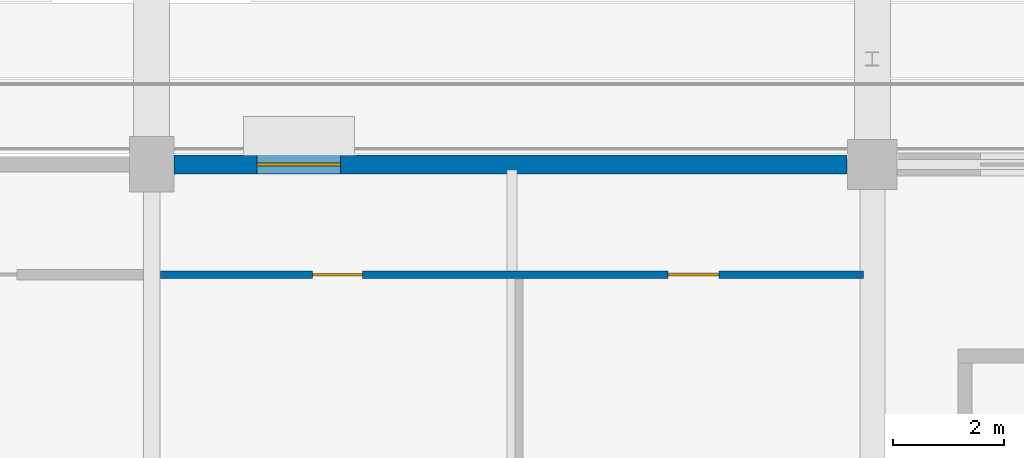
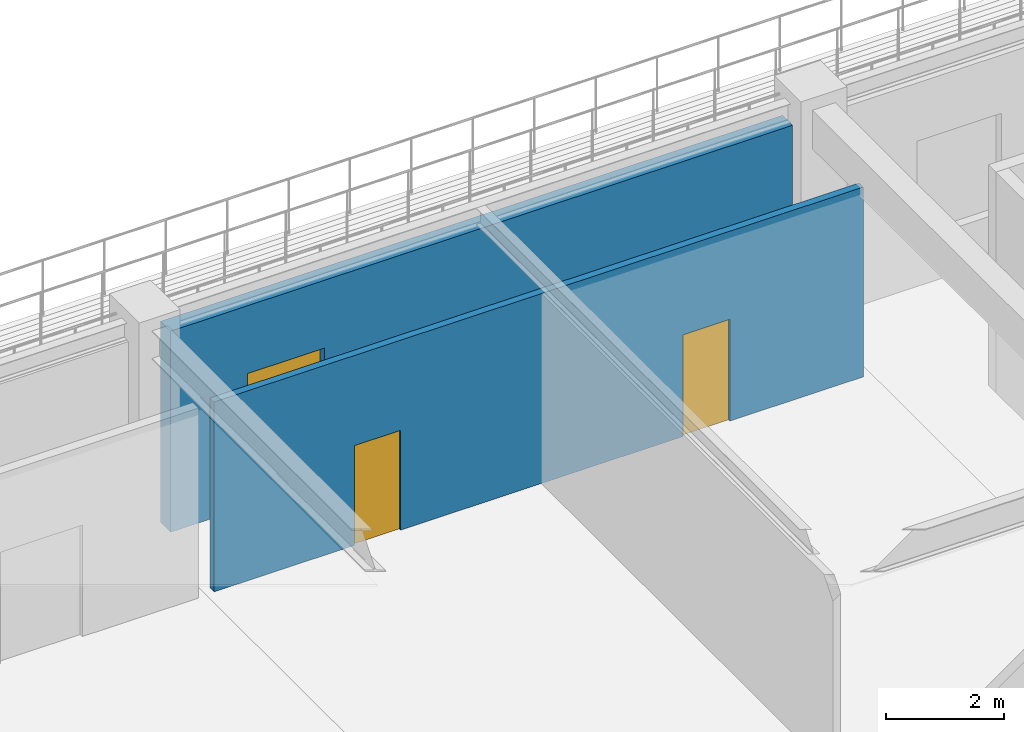
# One storey, part 79 of 134: 2 doors, 2 walls, 1 window, 3 openings.
"""IFC4 building model written with IfcOpenShell, lengths in metres."""

from ifc_helpers import new_model, si_unit, direction, frame, frame_2d, origin, place, context, subcontext, project, spatial, rectangle, extrude, material, layer, layer_set, type_object, element, fill, save


model = new_model("IFC4")

# Units and contexts
model_context = context("Model", 3, precision=1e-05, world=origin(), true_north=direction((0.0, 1.0)))
body_context = subcontext(model_context, "Body", "Model", "MODEL_VIEW")
ifc_project = project(units=[si_unit("LENGTHUNIT", "METRE"), si_unit("AREAUNIT", "SQUARE_METRE"), si_unit("VOLUMEUNIT", "CUBIC_METRE"), si_unit("PLANEANGLEUNIT", "RADIAN"), si_unit("MASSUNIT", "GRAM", prefix="KILO")], contexts=[model_context])

# Site, building, storey
site_placement = place(None, origin())
site = spatial("IfcSite", under=ifc_project, at=site_placement, CompositionType="ELEMENT")
building_placement = place(site_placement, origin())
building = spatial("IfcBuilding", under=site, at=building_placement, Name="Kazenohara Klinker Stadium", CompositionType="ELEMENT")
storey_placement = place(building_placement, frame((0.0, 0.0, 5.39990234375)))
storey = spatial("IfcBuildingStorey", under=building, at=storey_placement, Name="L01", CompositionType="ELEMENT", Elevation=5.39990234375)

# Wall, opening, window
ifc_material_1 = material(Name="Clinker brick masonry", Category="masonry")
ifc_layer_1 = layer(ifc_material_1, 0.340087890625)
ifc_layer_set_1 = layer_set([ifc_layer_1], Name="Clinker brick masonry")
wall_type_1 = type_object("IfcWallType", Name="WAL-EXT-CB340", PredefinedType="SOLIDWALL", material=ifc_layer_set_1)
wall_1_placement = place(storey_placement, frame((112.404052734375, 36.0, 0.0), z_axis=(0.0, 0.0, 1.0), x_axis=(1.0, 0.0, 0.0)))
wall_1 = element("IfcWall", 1, at=wall_1_placement, inside=storey, type_object=wall_type_1, Name="Clinker brick cavity wall EW04 L01 X9-3", PredefinedType="SOLIDWALL", context=body_context, shape_type="SweptSolid", body=[
    extrude(rectangle(XDim=12.141845703125, YDim=0.340087890625, at=frame_2d((6.07080078125, 0.0))), origin(), (0.0, 0.0, 1.0), 4.150146484375),
])
opening_1_placement = place(wall_1_placement, frame((1.5, 0.0, 0.949951171875)))
opening_1 = element("IfcOpeningElement", 2, at=opening_1_placement, cuts=wall_1, Name="Opening W09", PredefinedType="OPENING", context=body_context, shape_type="SweptSolid", body=[
    extrude(rectangle(XDim=1.5, YDim=1.800048828125, at=frame_2d((0.75, 0.89990234375))), frame((0.0, 0.18017578125, 0.0), z_axis=(0.0, -1.0, 0.0), x_axis=(1.0, 0.0, 0.0)), (0.0, 0.0, 1.0), 0.360107421875),
])
ifc_material_2 = material(Name="Dark bronze aluminium frame and triple glazing", Category="aluminium")
window_type = type_object("IfcWindowType", Name="WIN-AS-09", PartitioningType="SINGLE_PANEL", PredefinedType="WINDOW", material=ifc_material_2)
window_placement = place(opening_1_placement, origin())
window = element("IfcWindow", 3, at=window_placement, inside=storey, type_object=window_type, Name="Horizontal-mullion ladder window W09 L01 X9-3", OverallHeight=1.800048828125, OverallWidth=1.5, PartitioningType="SINGLE_PANEL", PredefinedType="WINDOW", context=body_context, shape_type="SweptSolid", body=[
    extrude(rectangle(XDim=1.5, YDim=1.800048828125, at=frame_2d((0.75, 0.89990234375))), frame((0.0, 0.030029296875, 0.0), z_axis=(0.0, -1.0, 0.0), x_axis=(1.0, 0.0, 0.0)), (0.0, 0.0, 1.0), 0.06005859375),
])
fill(opening_1, window)

# Wall, openings, doors
ifc_material_3 = material(Name="Fire-rated gypsum board on acoustic studs", Category="gypsum")
ifc_layer_2 = layer(ifc_material_3, 0.139892578125)
ifc_layer_set_2 = layer_set([ifc_layer_2], Name="Fire-rated gypsum board on acoustic studs")
wall_type_2 = type_object("IfcWallType", Name="WAL-INT-P140", PredefinedType="PARTITIONING", material=ifc_layer_set_2)
wall_2_placement = place(storey_placement, frame((112.159912109375, 34.010009765625, 0.0), z_axis=(0.0, 0.0, 1.0), x_axis=(1.0, 0.0, 0.0)))
wall_2 = element("IfcWall", 4, at=wall_2_placement, inside=storey, type_object=wall_type_2, Name="Interior partition wall PT03 SPC-L01-09-02-1-1", PredefinedType="PARTITIONING", context=body_context, shape_type="SweptSolid", body=[
    extrude(rectangle(XDim=12.68017578125, YDim=0.139892578125, at=frame_2d((6.340087890625, 0.0))), origin(), (0.0, 0.0, 1.0), 3.920166015625),
])
opening_2_placement = place(wall_2_placement, frame((3.643310546875, 0.0, 0.0), z_axis=(0.0, 0.0, 1.0), x_axis=(-1.0, 0.0, 0.0)))
opening_2 = element("IfcOpeningElement", 5, at=opening_2_placement, cuts=wall_2, Name="Opening ID01", PredefinedType="OPENING", context=body_context, shape_type="SweptSolid", body=[
    extrude(rectangle(XDim=0.89990234375, YDim=2.06005859375, at=frame_2d((0.449951171875, 1.030029296875))), frame((0.0, 0.080078125, 0.0), z_axis=(0.0, -1.0, 0.0), x_axis=(1.0, 0.0, 0.0)), (0.0, 0.0, 1.0), 0.159912109375),
])
opening_3_placement = place(wall_2_placement, frame((10.0732421875, 0.0, 0.0), z_axis=(0.0, 0.0, 1.0), x_axis=(-1.0, 0.0, 0.0)))
opening_3 = element("IfcOpeningElement", 6, at=opening_3_placement, cuts=wall_2, Name="Opening ID02", PredefinedType="OPENING", context=body_context, shape_type="SweptSolid", body=[
    extrude(rectangle(XDim=0.919921875, YDim=2.10009765625, at=frame_2d((0.4599609375, 1.050048828125))), frame((0.0, 0.080078125, 0.0), z_axis=(0.0, -1.0, 0.0), x_axis=(1.0, 0.0, 0.0)), (0.0, 0.0, 1.0), 0.159912109375),
])
ifc_material_4 = material(Name="Solid-core Hokkaido oak fire door", Category="wood")
door_type_1 = type_object("IfcDoorType", Name="DR-INT-01", OperationType="NOTDEFINED", PredefinedType="DOOR", material=ifc_material_4)
door_1_placement = place(opening_2_placement, origin())
door_1 = element("IfcDoor", 7, at=door_1_placement, inside=storey, type_object=door_type_1, Name="Interior door ID01 Spectator First-Aid Medical Clinic L01-0902A", OperationType="SINGLE_SWING_RIGHT", OverallHeight=2.06005859375, OverallWidth=0.89990234375, PredefinedType="DOOR", context=body_context, shape_type="SweptSolid", body=[
    extrude(rectangle(XDim=0.89990234375, YDim=2.06005859375, at=frame_2d((0.449951171875, 1.030029296875))), frame((0.0, 0.02490234375, 0.0), z_axis=(0.0, -1.0, 0.0), x_axis=(1.0, 0.0, 0.0)), (0.0, 0.0, 1.0), 0.050048828125),
])
fill(opening_2, door_1)
door_type_2 = type_object("IfcDoorType", Name="DR-INT-02", OperationType="NOTDEFINED", PredefinedType="DOOR", material=ifc_material_4)
door_2_placement = place(opening_3_placement, origin())
door_2 = element("IfcDoor", 8, at=door_2_placement, inside=storey, type_object=door_type_2, Name="Interior door ID02 Supporter Scarf and Jersey Retail Shop L01-0902B", OperationType="SINGLE_SWING_LEFT", OverallHeight=2.10009765625, OverallWidth=0.919921875, PredefinedType="DOOR", context=body_context, shape_type="SweptSolid", body=[
    extrude(rectangle(XDim=0.919921875, YDim=2.10009765625, at=frame_2d((0.4599609375, 1.050048828125))), frame((0.0, 0.02490234375, 0.0), z_axis=(0.0, -1.0, 0.0), x_axis=(1.0, 0.0, 0.0)), (0.0, 0.0, 1.0), 0.050048828125),
])
fill(opening_3, door_2)

save(model, "model.ifc")
